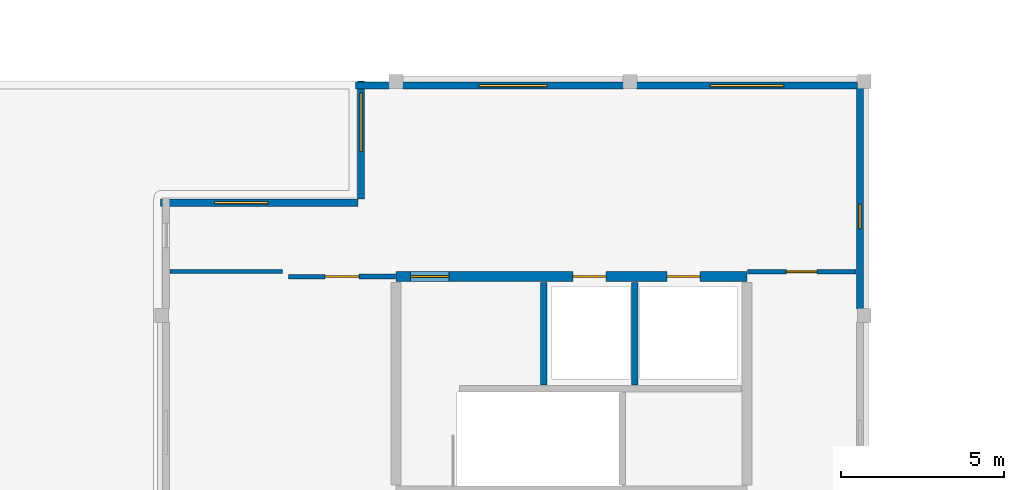
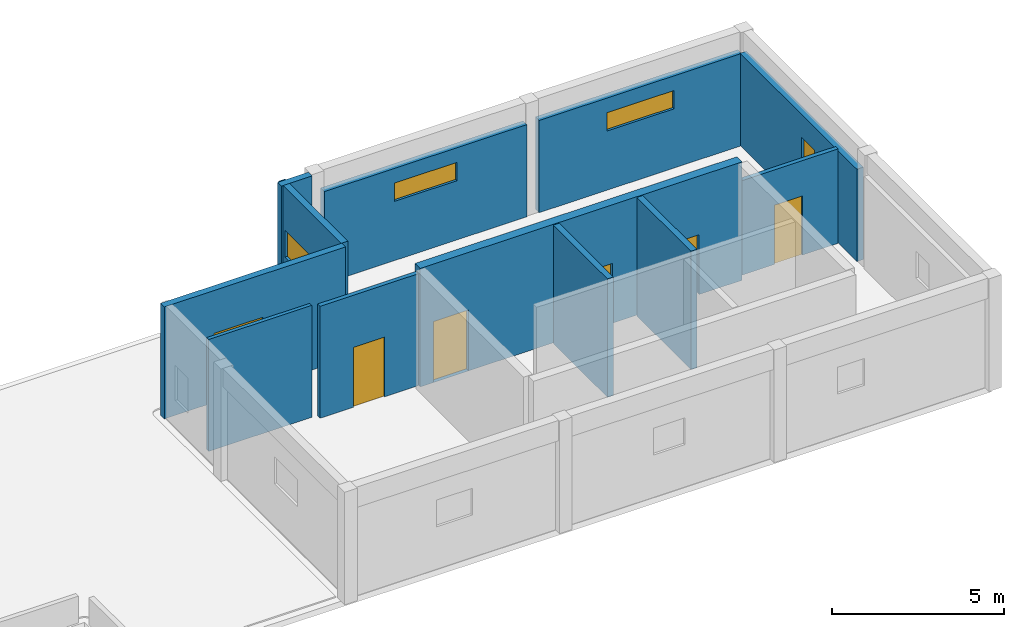
# One storey, part 10 of 15: 12 walls, 5 doors, 5 windows, 10 openings.
"""IFC4 building model written with IfcOpenShell, lengths in metres."""

from ifc_helpers import new_model, si_unit, direction, frame, frame_2d, origin, place, context, subcontext, project, spatial, rectangle, extrude, material, layer, layer_set, type_object, element, fill, save


model = new_model("IFC4")

# Units and contexts
model_context = context("Model", 3, precision=1e-05, world=origin(), true_north=direction((0.0, 1.0)))
body_context = subcontext(model_context, "Body", "Model", "MODEL_VIEW")
ifc_project = project(units=[si_unit("LENGTHUNIT", "METRE"), si_unit("AREAUNIT", "SQUARE_METRE"), si_unit("VOLUMEUNIT", "CUBIC_METRE"), si_unit("PLANEANGLEUNIT", "RADIAN"), si_unit("MASSUNIT", "GRAM", prefix="KILO")], contexts=[model_context])

# Site, building, storey
site_placement = place(None, origin())
site = spatial("IfcSite", under=ifc_project, at=site_placement, CompositionType="ELEMENT")
building_placement = place(site_placement, origin())
building = spatial("IfcBuilding", under=site, at=building_placement, Name="Bramvelor Terrace Health Centre", CompositionType="ELEMENT")
storey_placement = place(building_placement, frame((0.0, 0.0, 13.5)))
storey = spatial("IfcBuildingStorey", under=building, at=storey_placement, Name="L04", CompositionType="ELEMENT", Elevation=13.5)

# Wall
ifc_material_1 = material(Name="Acoustic clinical partition board", Category="gypsum")
ifc_layer_1 = layer(ifc_material_1, 0.1201171875)
ifc_layer_set_1 = layer_set([ifc_layer_1], Name="Acoustic clinical partition board")
wall_type_1 = type_object("IfcWallType", Name="WL-CLN-120", PredefinedType="PARTITIONING", material=ifc_layer_set_1)
wall_1_placement = place(storey_placement, frame((72.25, 94.949951171875, 0.0), z_axis=(0.0, 0.0, 1.0), x_axis=(1.0, 0.0, 0.0)))
element("IfcWall", 1, at=wall_1_placement, inside=storey, type_object=wall_type_1, Name="L04 Interior Partition 308", PredefinedType="PARTITIONING", context=body_context, shape_type="SweptSolid", body=[
    extrude(rectangle(XDim=3.4580078125, YDim=0.1201171875, at=frame_2d((1.72900390625, 0.0))), origin(), (0.0, 0.0, 1.0), 3.969970703125),
])

# Wall, opening, door
ifc_material_2 = material(Name="Fire-rated gypsum and mineral wool", Category="gypsum")
ifc_layer_2 = layer(ifc_material_2, 0.139892578125)
ifc_layer_set_2 = layer_set([ifc_layer_2], Name="Fire-rated gypsum and mineral wool")
wall_type_2 = type_object("IfcWallType", Name="WL-COR-140", PredefinedType="PARTITIONING", material=ifc_layer_set_2)
wall_2_placement = place(storey_placement, frame((75.889892578125, 94.798095703125, 0.0), z_axis=(0.0, 0.0, 1.0), x_axis=(0.999999824858, 0.0005918472, 0.0)))
wall_2 = element("IfcWall", 2, at=wall_2_placement, inside=storey, type_object=wall_type_2, Name="L04 Interior Partition 309", PredefinedType="PARTITIONING", context=body_context, shape_type="SweptSolid", body=[
    extrude(rectangle(XDim=3.300048828125, YDim=0.139892578125, at=frame_2d((1.64990234375, 0.0))), origin(), (0.0, 0.0, 1.0), 3.969970703125),
])
opening_1_placement = place(wall_2_placement, frame((1.1298828125, 0.0, 0.0)))
opening_1 = element("IfcOpeningElement", 3, at=opening_1_placement, cuts=wall_2, Name="Opening FD-07", PredefinedType="OPENING", context=body_context, shape_type="SweptSolid", body=[
    extrude(rectangle(XDim=1.0400390625, YDim=2.1201171875, at=frame_2d((0.52001953125, 1.06005859375))), frame((0.0, 0.079833984375, 0.0), z_axis=(0.0, -1.0, 0.0), x_axis=(1.0, 0.0, 0.0)), (0.0, 0.0, 1.0), 0.159912109375),
])
ifc_material_3 = material(Name="Fire-rated steel and vision panel", Category="steel")
door_type_1 = type_object("IfcDoorType", Name="DR-FD60-104", OperationType="NOTDEFINED", PredefinedType="DOOR", material=ifc_material_3)
door_1_placement = place(opening_1_placement, origin())
door_1 = element("IfcDoor", 4, at=door_1_placement, inside=storey, type_object=door_type_1, Name="L04 Surgical Pathology Lab Fire Door", OperationType="SINGLE_SWING_LEFT", OverallHeight=2.1201171875, OverallWidth=1.0400390625, PredefinedType="DOOR", context=body_context, shape_type="SweptSolid", body=[
    extrude(rectangle(XDim=1.0400390625, YDim=2.1201171875, at=frame_2d((0.52001953125, 1.06005859375))), frame((0.0, 0.02490234375, 0.0), z_axis=(0.0, -1.0, 0.0), x_axis=(1.0, 0.0, 0.0)), (0.0, 0.0, 1.0), 0.050048828125),
])
fill(opening_1, door_1)

wall_3_placement = place(storey_placement, frame((90.011962890625, 94.947998046875, 0.0), z_axis=(0.0, 0.0, 1.0), x_axis=(1.0, 0.0, 0.0)))
wall_3 = element("IfcWall", 5, at=wall_3_placement, inside=storey, type_object=wall_type_2, Name="L04 Interior Partition 310", PredefinedType="PARTITIONING", context=body_context, shape_type="SweptSolid", body=[
    extrude(rectangle(XDim=3.338134765625, YDim=0.139892578125, at=frame_2d((1.6689453125, 0.0))), origin(), (0.0, 0.0, 1.0), 3.35009765625),
])
opening_2_placement = place(wall_3_placement, frame((1.198974609375, 0.0, 0.0)))
opening_2 = element("IfcOpeningElement", 6, at=opening_2_placement, cuts=wall_3, Name="Opening FD-08", PredefinedType="OPENING", context=body_context, shape_type="SweptSolid", body=[
    extrude(rectangle(XDim=0.93994140625, YDim=2.10009765625, at=frame_2d((0.469970703125, 1.050048828125))), frame((0.0, 0.079833984375, 0.0), z_axis=(0.0, -1.0, 0.0), x_axis=(1.0, 0.0, 0.0)), (0.0, 0.0, 1.0), 0.159912109375),
])
ifc_material_4 = material(Name="Fire-rated steel and vision panel", Category="steel")
door_type_2 = type_object("IfcDoorType", Name="DR-FD60-094", OperationType="NOTDEFINED", PredefinedType="DOOR", material=ifc_material_4)
door_2_placement = place(opening_2_placement, origin())
door_2 = element("IfcDoor", 7, at=door_2_placement, inside=storey, type_object=door_type_2, Name="L04 Clinical Biomedical Workshop Fire Door", OperationType="SINGLE_SWING_RIGHT", OverallHeight=2.10009765625, OverallWidth=0.93994140625, PredefinedType="DOOR", context=body_context, shape_type="SweptSolid", body=[
    extrude(rectangle(XDim=0.93994140625, YDim=2.10009765625, at=frame_2d((0.469970703125, 1.050048828125))), frame((0.0, 0.02490234375, 0.0), z_axis=(0.0, -1.0, 0.0), x_axis=(1.0, 0.0, 0.0)), (0.0, 0.0, 1.0), 0.050048828125),
])
fill(opening_2, door_2)

# Walls
ifc_material_5 = material(Name="Concrete C40/50", Category="concrete")
ifc_layer_3 = layer(ifc_material_5, 0.199951171875)
ifc_layer_set_3 = layer_set([ifc_layer_3], Name="Concrete C40/50")
wall_type_3 = type_object("IfcWallType", Name="WL-CORE-200", PredefinedType="SHEAR", material=ifc_layer_set_3)
for number, where, z_axis, x_axis, name in (
    (8, (83.75, 91.469970703125, 0.0), (0.0, 0.0, 1.0), (0.0, 1.0, 0.0), "C4 L04 Core Shear Wall"),
    (9, (86.550048828125, 91.469970703125, 0.0), (0.0, 0.0, 1.0), (0.0, 1.0, 0.0), "C4 L04 Lift Divider Wall"),
):
    element("IfcWall", number, at=place(storey_placement, frame(where, z_axis=z_axis, x_axis=x_axis)), inside=storey, type_object=wall_type_3, Name=name, PredefinedType="SHEAR", context=body_context, shape_type="SweptSolid", body=[
        extrude(rectangle(XDim=3.150146484375, YDim=0.199951171875, at=frame_2d((1.5751953125, 0.0))), origin(), (0.0, 0.0, 1.0), 4.199951171875),
    ])

# Wall, openings, doors
ifc_material_6 = material(Name="Concrete C40/50", Category="concrete")
ifc_layer_4 = layer(ifc_material_6, 0.300048828125)
ifc_layer_set_4 = layer_set([ifc_layer_4], Name="Concrete C40/50")
wall_type_4 = type_object("IfcWallType", Name="WL-CORE-300", PredefinedType="SHEAR", material=ifc_layer_set_4)
wall_4_placement = place(storey_placement, frame((79.199951171875, 94.800048828125, 0.0), z_axis=(0.0, 0.0, 1.0), x_axis=(1.0, 0.0, 0.0)))
wall_4 = element("IfcWall", 10, at=wall_4_placement, inside=storey, type_object=wall_type_4, Name="C4 L04 Core Shear Wall", PredefinedType="SHEAR", context=body_context, shape_type="SweptSolid", body=[
    extrude(rectangle(XDim=10.800048828125, YDim=0.300048828125, at=frame_2d((5.39990234375, 0.0))), origin(), (0.0, 0.0, 1.0), 4.199951171875),
])
opening_3_placement = place(wall_4_placement, frame((0.449951171875, 0.0, 0.0)))
opening_3 = element("IfcOpeningElement", 11, at=opening_3_placement, cuts=wall_4, Name="Opening FD-02", PredefinedType="OPENING", context=body_context, shape_type="SweptSolid", body=[
    extrude(rectangle(XDim=1.179931640625, YDim=2.159912109375, at=frame_2d((0.58984375, 1.080078125))), frame((0.0, 0.159912109375, 0.0), z_axis=(0.0, -1.0, 0.0), x_axis=(1.0, 0.0, 0.0)), (0.0, 0.0, 1.0), 0.320068359375),
])
opening_4_placement = place(wall_4_placement, frame((5.43994140625, 0.0, 0.0)))
opening_4 = element("IfcOpeningElement", 12, at=opening_4_placement, cuts=wall_4, Name="Opening LD-2", PredefinedType="OPENING", context=body_context, shape_type="SweptSolid", body=[
    extrude(rectangle(XDim=1.02001953125, YDim=2.1201171875, at=frame_2d((0.510009765625, 1.06005859375))), frame((0.0, 0.159912109375, 0.0), z_axis=(0.0, -1.0, 0.0), x_axis=(1.0, 0.0, 0.0)), (0.0, 0.0, 1.0), 0.320068359375),
])
opening_5_placement = place(wall_4_placement, frame((8.340087890625, 0.0, 0.0)))
opening_5 = element("IfcOpeningElement", 13, at=opening_5_placement, cuts=wall_4, Name="Opening LD-2", PredefinedType="OPENING", context=body_context, shape_type="SweptSolid", body=[
    extrude(rectangle(XDim=1.02001953125, YDim=2.1201171875, at=frame_2d((0.510009765625, 1.06005859375))), frame((0.0, 0.159912109375, 0.0), z_axis=(0.0, -1.0, 0.0), x_axis=(1.0, 0.0, 0.0)), (0.0, 0.0, 1.0), 0.320068359375),
])
ifc_material_7 = material(Name="Fire-rated steel and vision panel", Category="steel")
door_type_3 = type_object("IfcDoorType", Name="DR-FD90-118", OperationType="NOTDEFINED", PredefinedType="DOOR", material=ifc_material_7)
door_3_placement = place(opening_3_placement, origin())
door_3 = element("IfcDoor", 14, at=door_3_placement, inside=storey, type_object=door_type_3, Name="C4 L04 Core Stair Fire Door", OperationType="SINGLE_SWING_LEFT", OverallHeight=2.159912109375, OverallWidth=1.179931640625, PredefinedType="DOOR", context=body_context, shape_type="SweptSolid", body=[
    extrude(rectangle(XDim=1.179931640625, YDim=2.159912109375, at=frame_2d((0.58984375, 1.080078125))), frame((0.0, 0.02490234375, 0.0), z_axis=(0.0, -1.0, 0.0), x_axis=(1.0, 0.0, 0.0)), (0.0, 0.0, 1.0), 0.050048828125),
])
fill(opening_3, door_3)
ifc_material_8 = material(Name="Brushed stainless steel 316", Category="steel")
door_type_4 = type_object("IfcDoorType", Name="DR-LIFT-PS102", OperationType="SLIDING_TO_LEFT", PredefinedType="DOOR", material=ifc_material_8)
door_4_placement = place(opening_4_placement, origin())
door_4 = element("IfcDoor", 15, at=door_4_placement, inside=storey, type_object=door_type_4, Name="Lift LS-01 L04 Sliding Landing Door", OperationType="SLIDING_TO_LEFT", OverallHeight=2.1201171875, OverallWidth=1.02001953125, PredefinedType="DOOR", context=body_context, shape_type="SweptSolid", body=[
    extrude(rectangle(XDim=1.02001953125, YDim=2.1201171875, at=frame_2d((0.510009765625, 1.06005859375))), frame((0.0, 0.02490234375, 0.0), z_axis=(0.0, -1.0, 0.0), x_axis=(1.0, 0.0, 0.0)), (0.0, 0.0, 1.0), 0.050048828125),
])
fill(opening_4, door_4)
door_5_placement = place(opening_5_placement, origin())
door_5 = element("IfcDoor", 16, at=door_5_placement, inside=storey, type_object=door_type_4, Name="Lift LS-02 L04 Sliding Landing Door", OperationType="SLIDING_TO_LEFT", OverallHeight=2.1201171875, OverallWidth=1.02001953125, PredefinedType="DOOR", context=body_context, shape_type="SweptSolid", body=[
    extrude(rectangle(XDim=1.02001953125, YDim=2.1201171875, at=frame_2d((0.510009765625, 1.06005859375))), frame((0.0, 0.02490234375, 0.0), z_axis=(0.0, -1.0, 0.0), x_axis=(1.0, 0.0, 0.0)), (0.0, 0.0, 1.0), 0.050048828125),
])
fill(opening_5, door_5)

# Wall
ifc_material_9 = material(Name="Cross-laminated timber C24", Category="wood")
ifc_layer_5 = layer(ifc_material_9, 0.219970703125)
ifc_layer_set_5 = layer_set([ifc_layer_5], Name="Cross-laminated timber C24")
wall_type_5 = type_object("IfcWallType", Name="WL-EXT-CLT220", PredefinedType="SOLIDWALL", material=ifc_layer_set_5)
wall_5_placement = place(storey_placement, frame((77.9599609375, 100.669921875, 0.0), z_axis=(0.0, 0.0, 1.0), x_axis=(1.0, 0.0, 0.0)))
element("IfcWall", 17, at=wall_5_placement, inside=storey, type_object=wall_type_5, Name="L04 Exterior Facade Wall 18", PredefinedType="SOLIDWALL", context=body_context, shape_type="SweptSolid", body=[
    extrude(rectangle(XDim=1.03515625, YDim=0.219970703125, at=frame_2d((0.517578125, 0.0))), origin(), (0.0, 0.0, 1.0), 3.969970703125),
])

# Wall, opening, window
wall_6_placement = place(storey_placement, frame((79.405029296875, 100.669921875, 0.0), z_axis=(0.0, 0.0, 1.0), x_axis=(1.0, 0.0, 0.0)))
wall_6 = element("IfcWall", 18, at=wall_6_placement, inside=storey, type_object=wall_type_5, Name="L04 Exterior Facade Wall 19", PredefinedType="SOLIDWALL", context=body_context, shape_type="SweptSolid", body=[
    extrude(rectangle(XDim=6.7900390625, YDim=0.219970703125, at=frame_2d((3.39501953125, 0.0))), origin(), (0.0, 0.0, 1.0), 3.27001953125),
])
opening_6_placement = place(wall_6_placement, frame((2.344970703125, 0.0, 2.10009765625)))
opening_6 = element("IfcOpeningElement", 19, at=opening_6_placement, cuts=wall_6, Name="Opening WN-10", PredefinedType="OPENING", context=body_context, shape_type="SweptSolid", body=[
    extrude(rectangle(XDim=2.10009765625, YDim=0.64990234375, at=frame_2d((1.050048828125, 0.324951171875))), frame((0.0, 0.119873046875, 0.0), z_axis=(0.0, -1.0, 0.0), x_axis=(1.0, 0.0, 0.0)), (0.0, 0.0, 1.0), 0.239990234375),
])
ifc_material_10 = material(Name="Double low-E laminated glass", Category="glass")
window_type_1 = type_object("IfcWindowType", Name="WIN-EXT-10", PartitioningType="SINGLE_PANEL", PredefinedType="WINDOW", material=ifc_material_10)
window_1_placement = place(opening_6_placement, origin())
window_1 = element("IfcWindow", 20, at=window_1_placement, inside=storey, type_object=window_type_1, Name="L04 Scheduled Clinical Window 190", OverallHeight=0.64990234375, OverallWidth=2.10009765625, PartitioningType="SINGLE_PANEL", PredefinedType="WINDOW", context=body_context, shape_type="SweptSolid", body=[
    extrude(rectangle(XDim=2.10009765625, YDim=0.64990234375, at=frame_2d((1.050048828125, 0.324951171875))), frame((0.0, 0.030029296875, 0.0), z_axis=(0.0, -1.0, 0.0), x_axis=(1.0, 0.0, 0.0)), (0.0, 0.0, 1.0), 0.06005859375),
])
fill(opening_6, window_1)

wall_7_placement = place(storey_placement, frame((86.60498046875, 100.669921875, 0.0), z_axis=(0.0, 0.0, 1.0), x_axis=(1.0, 0.0, 0.0)))
wall_7 = element("IfcWall", 21, at=wall_7_placement, inside=storey, type_object=wall_type_5, Name="L04 Exterior Facade Wall 20", PredefinedType="SOLIDWALL", context=body_context, shape_type="SweptSolid", body=[
    extrude(rectangle(XDim=6.7900390625, YDim=0.219970703125, at=frame_2d((3.39501953125, 0.0))), origin(), (0.0, 0.0, 1.0), 3.27001953125),
])
opening_7_placement = place(wall_7_placement, frame((2.27001953125, 0.0, 2.10009765625)))
opening_7 = element("IfcOpeningElement", 22, at=opening_7_placement, cuts=wall_7, Name="Opening WN-11", PredefinedType="OPENING", context=body_context, shape_type="SweptSolid", body=[
    extrude(rectangle(XDim=2.25, YDim=0.64990234375, at=frame_2d((1.125, 0.324951171875))), frame((0.0, 0.119873046875, 0.0), z_axis=(0.0, -1.0, 0.0), x_axis=(1.0, 0.0, 0.0)), (0.0, 0.0, 1.0), 0.239990234375),
])
ifc_material_11 = material(Name="Double low-E laminated glass", Category="glass")
window_type_2 = type_object("IfcWindowType", Name="WIN-EXT-11", PartitioningType="SINGLE_PANEL", PredefinedType="WINDOW", material=ifc_material_11)
window_2_placement = place(opening_7_placement, origin())
window_2 = element("IfcWindow", 23, at=window_2_placement, inside=storey, type_object=window_type_2, Name="L04 Scheduled Clinical Window 191", OverallHeight=0.64990234375, OverallWidth=2.25, PartitioningType="SINGLE_PANEL", PredefinedType="WINDOW", context=body_context, shape_type="SweptSolid", body=[
    extrude(rectangle(XDim=2.25, YDim=0.64990234375, at=frame_2d((1.125, 0.324951171875))), frame((0.0, 0.030029296875, 0.0), z_axis=(0.0, -1.0, 0.0), x_axis=(1.0, 0.0, 0.0)), (0.0, 0.0, 1.0), 0.06005859375),
])
fill(opening_7, window_2)

wall_8_placement = place(storey_placement, frame((93.469970703125, 100.594970703125, 0.0), z_axis=(0.0, 0.0, 1.0), x_axis=(0.0, -1.0, 0.0)))
wall_8 = element("IfcWall", 24, at=wall_8_placement, inside=storey, type_object=wall_type_5, Name="L04 Exterior Facade Wall 21", PredefinedType="SOLIDWALL", context=body_context, shape_type="SweptSolid", body=[
    extrude(rectangle(XDim=6.7900390625, YDim=0.219970703125, at=frame_2d((3.39501953125, 0.0))), origin(), (0.0, 0.0, 1.0), 3.27001953125),
])
opening_8_placement = place(wall_8_placement, frame((3.570068359375, 0.0, 1.5)))
opening_8 = element("IfcOpeningElement", 25, at=opening_8_placement, cuts=wall_8, Name="Opening WN-13", PredefinedType="OPENING", context=body_context, shape_type="SweptSolid", body=[
    extrude(rectangle(XDim=0.75, YDim=0.949951171875, at=frame_2d((0.375, 0.47509765625))), frame((0.0, 0.119873046875, 0.0), z_axis=(0.0, -1.0, 0.0), x_axis=(1.0, 0.0, 0.0)), (0.0, 0.0, 1.0), 0.239990234375),
])
ifc_material_12 = material(Name="Double low-E laminated glass", Category="glass")
window_type_3 = type_object("IfcWindowType", Name="WIN-EXT-13", PartitioningType="SINGLE_PANEL", PredefinedType="WINDOW", material=ifc_material_12)
window_3_placement = place(opening_8_placement, origin())
window_3 = element("IfcWindow", 26, at=window_3_placement, inside=storey, type_object=window_type_3, Name="L04 Scheduled Clinical Window 192", OverallHeight=0.949951171875, OverallWidth=0.75, PartitioningType="SINGLE_PANEL", PredefinedType="WINDOW", context=body_context, shape_type="SweptSolid", body=[
    extrude(rectangle(XDim=0.75, YDim=0.949951171875, at=frame_2d((0.375, 0.47509765625))), frame((0.0, 0.030029296875, 0.0), z_axis=(0.0, -1.0, 0.0), x_axis=(1.0, 0.0, 0.0)), (0.0, 0.0, 1.0), 0.06005859375),
])
fill(opening_8, window_3)

wall_9_placement = place(storey_placement, frame((71.9599609375, 97.070068359375, 0.0), z_axis=(0.0, 0.0, 1.0), x_axis=(1.0, 0.0, 0.0)))
wall_9 = element("IfcWall", 27, at=wall_9_placement, inside=storey, type_object=wall_type_5, Name="L04 Exterior Facade Wall 28", PredefinedType="SOLIDWALL", context=body_context, shape_type="SweptSolid", body=[
    extrude(rectangle(XDim=6.080078125, YDim=0.219970703125, at=frame_2d((3.0400390625, 0.0))), origin(), (0.0, 0.0, 1.0), 3.969970703125),
])
opening_9_placement = place(wall_9_placement, frame((1.6650390625, 0.0, 1.5)))
opening_9 = element("IfcOpeningElement", 28, at=opening_9_placement, cuts=wall_9, Name="Opening WN-19", PredefinedType="OPENING", context=body_context, shape_type="SweptSolid", body=[
    extrude(rectangle(XDim=1.64990234375, YDim=0.949951171875, at=frame_2d((0.824951171875, 0.47509765625))), frame((0.0, 0.119873046875, 0.0), z_axis=(0.0, -1.0, 0.0), x_axis=(1.0, 0.0, 0.0)), (0.0, 0.0, 1.0), 0.239990234375),
])
ifc_material_13 = material(Name="Double low-E laminated glass", Category="glass")
window_type_4 = type_object("IfcWindowType", Name="WIN-EXT-19", PartitioningType="SINGLE_PANEL", PredefinedType="WINDOW", material=ifc_material_13)
window_4_placement = place(opening_9_placement, origin())
window_4 = element("IfcWindow", 29, at=window_4_placement, inside=storey, type_object=window_type_4, Name="L04 Scheduled Clinical Window 199", OverallHeight=0.949951171875, OverallWidth=1.64990234375, PartitioningType="SINGLE_PANEL", PredefinedType="WINDOW", context=body_context, shape_type="SweptSolid", body=[
    extrude(rectangle(XDim=1.64990234375, YDim=0.949951171875, at=frame_2d((0.824951171875, 0.47509765625))), frame((0.0, 0.030029296875, 0.0), z_axis=(0.0, -1.0, 0.0), x_axis=(1.0, 0.0, 0.0)), (0.0, 0.0, 1.0), 0.06005859375),
])
fill(opening_9, window_4)

wall_10_placement = place(storey_placement, frame((78.1298828125, 97.179931640625, 0.0), z_axis=(0.0, 0.0, 1.0), x_axis=(0.0, 1.0, 0.0)))
wall_10 = element("IfcWall", 30, at=wall_10_placement, inside=storey, type_object=wall_type_5, Name="L04 Exterior Facade Wall 29", PredefinedType="SOLIDWALL", context=body_context, shape_type="SweptSolid", body=[
    extrude(rectangle(XDim=3.64013671875, YDim=0.219970703125, at=frame_2d((1.820068359375, 0.0))), origin(), (0.0, 0.0, 1.0), 3.969970703125),
])
opening_10_placement = place(wall_10_placement, frame((1.469970703125, 0.0, 1.5)))
opening_10 = element("IfcOpeningElement", 31, at=opening_10_placement, cuts=wall_10, Name="Opening WN-20", PredefinedType="OPENING", context=body_context, shape_type="SweptSolid", body=[
    extrude(rectangle(XDim=1.800048828125, YDim=0.949951171875, at=frame_2d((0.89990234375, 0.47509765625))), frame((0.0, 0.119873046875, 0.0), z_axis=(0.0, -1.0, 0.0), x_axis=(1.0, 0.0, 0.0)), (0.0, 0.0, 1.0), 0.239990234375),
])
ifc_material_14 = material(Name="Double low-E laminated glass", Category="glass")
window_type_5 = type_object("IfcWindowType", Name="WIN-EXT-20", PartitioningType="SINGLE_PANEL", PredefinedType="WINDOW", material=ifc_material_14)
window_5_placement = place(opening_10_placement, origin())
window_5 = element("IfcWindow", 32, at=window_5_placement, inside=storey, type_object=window_type_5, Name="L04 Scheduled Clinical Window 200", OverallHeight=0.949951171875, OverallWidth=1.800048828125, PartitioningType="SINGLE_PANEL", PredefinedType="WINDOW", context=body_context, shape_type="SweptSolid", body=[
    extrude(rectangle(XDim=1.800048828125, YDim=0.949951171875, at=frame_2d((0.89990234375, 0.47509765625))), frame((0.0, 0.030029296875, 0.0), z_axis=(0.0, -1.0, 0.0), x_axis=(1.0, 0.0, 0.0)), (0.0, 0.0, 1.0), 0.06005859375),
])
fill(opening_10, window_5)

save(model, "model.ifc")
